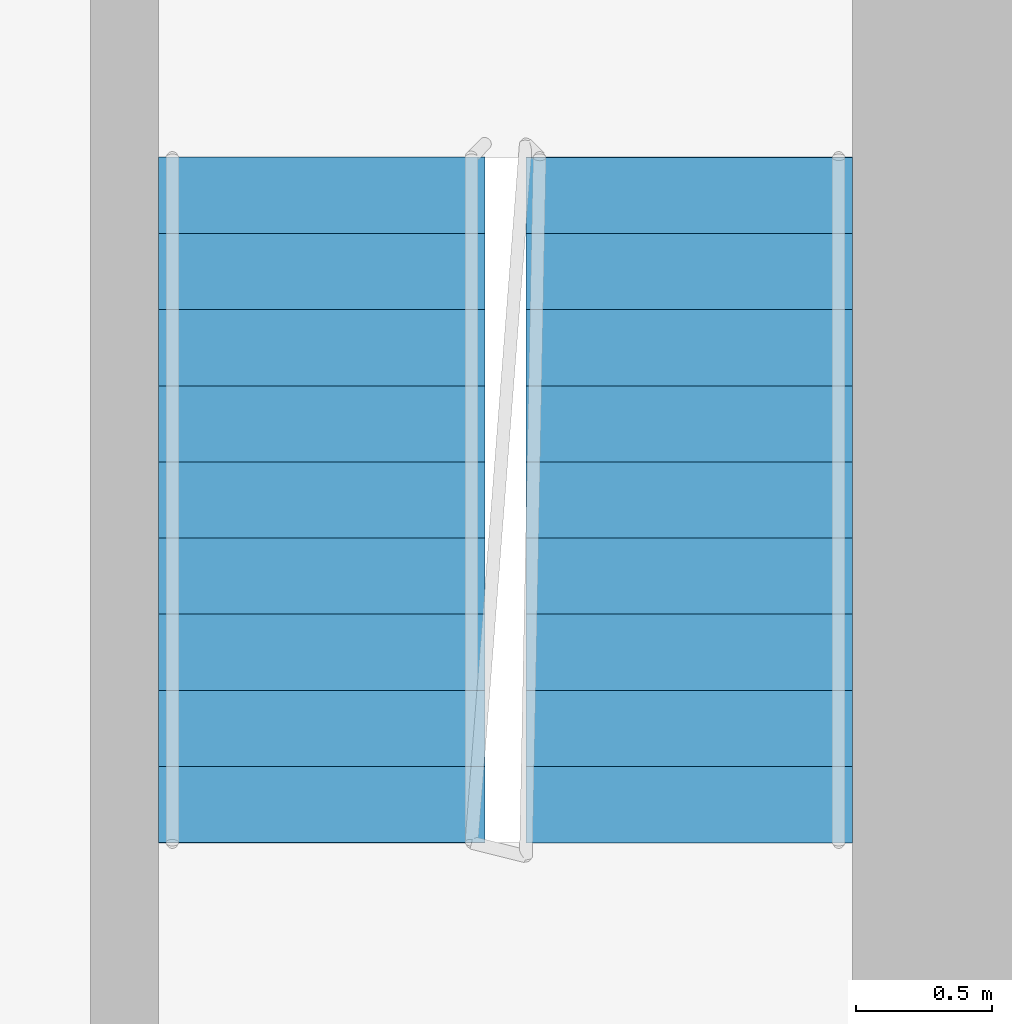
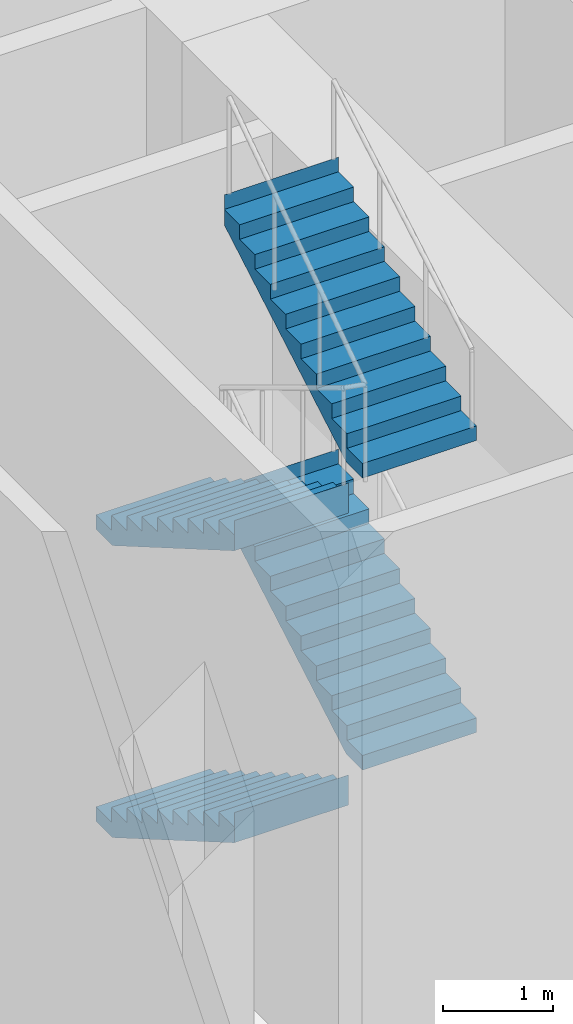
# One storey, part 14 of 24: 4 stair flights, 1 element without a shape of its own.
"""IFC4 building model written with IfcOpenShell, lengths in metres."""

from ifc_helpers import new_model, si_unit, direction, frame, origin, place, context, subcontext, project, spatial, faceted_brep, material, type_object, element, aggregate, save


model = new_model("IFC4")

# Units and contexts
model_context = context("Model", 3, precision=1e-05, world=origin(), true_north=direction((0.0, 1.0)))
body_context = subcontext(model_context, "Body", "Model", "MODEL_VIEW")
ifc_project = project(units=[si_unit("LENGTHUNIT", "METRE"), si_unit("AREAUNIT", "SQUARE_METRE"), si_unit("VOLUMEUNIT", "CUBIC_METRE"), si_unit("PLANEANGLEUNIT", "RADIAN"), si_unit("MASSUNIT", "GRAM", prefix="KILO")], contexts=[model_context])

# Site, building, storey
site_placement = place(None, origin())
site = spatial("IfcSite", under=ifc_project, at=site_placement, CompositionType="ELEMENT")
building_placement = place(site_placement, origin())
building = spatial("IfcBuilding", under=site, at=building_placement, Name="Kajstack Hotel Tower", CompositionType="ELEMENT")
storey_placement = place(building_placement, frame((0.0, 0.0, 17.0)))
storey = spatial("IfcBuildingStorey", under=building, at=storey_placement, Name="L02", CompositionType="ELEMENT", Elevation=17.0)

# Stair, stair flights
ifc_material = material(Name="Concrete C40/50", Category="concrete")
stair_type = type_object("IfcStairType", Name="Exit stair 1200", PredefinedType="HALF_TURN_STAIR", material=ifc_material)
stair_placement = place(storey_placement, origin())
stair = element("IfcStair", 1, at=stair_placement, inside=storey, type_object=stair_type, Name="L02 stair W1", PredefinedType="HALF_TURN_STAIR")
stair_flight_type = type_object("IfcStairFlightType", Name="Exit stair flight 1200", PredefinedType="STRAIGHT", material=ifc_material)
stair_flight_1_placement = place(storey_placement, frame((-33.449951171875, -5.25, 0.0), z_axis=(0.0, 0.0, 1.0), x_axis=(0.0, -1.0, 0.0)))
stair_flight_1 = element("IfcStairFlight", 2, at=stair_flight_1_placement, type_object=stair_flight_type, Name="W1 flight 1", NumberOfRisers=10, NumberOfTreads=9, PredefinedType="STRAIGHT", RiserHeight=0.1625, TreadLength=0.28, context=body_context, shape_type="Brep", body=[
    faceted_brep([(0.299072265625, -0.60009765625, 0.0), (2.5205078125, -0.60009765625, 1.2890625), (2.5205078125, -0.60009765625, 1.625), (2.52001953125, -0.60009765625, 1.625), (2.52001953125, -0.60009765625, 1.46240234375), (2.239990234375, -0.60009765625, 1.46240234375), (2.239990234375, -0.60009765625, 1.300048828125), (1.9599609375, -0.60009765625, 1.300048828125), (1.9599609375, -0.60009765625, 1.137451171875), (1.679931640625, -0.60009765625, 1.137451171875), (1.679931640625, -0.60009765625, 0.97509765625), (1.39990234375, -0.60009765625, 0.97509765625), (1.39990234375, -0.60009765625, 0.8125), (1.1201171875, -0.60009765625, 0.8125), (1.1201171875, -0.60009765625, 0.64990234375), (0.840087890625, -0.60009765625, 0.64990234375), (0.840087890625, -0.60009765625, 0.487548828125), (0.56005859375, -0.60009765625, 0.487548828125), (0.56005859375, -0.60009765625, 0.324951171875), (0.280029296875, -0.60009765625, 0.324951171875), (0.280029296875, -0.60009765625, 0.16259765625), (-0.00048828125, -0.60009765625, 0.16259765625), (-0.00048828125, -0.60009765625, 0.0), (-0.00048828125, 0.60009765625, 0.0), (-0.00048828125, 0.60009765625, 0.16259765625), (0.280029296875, 0.60009765625, 0.16259765625), (0.280029296875, 0.60009765625, 0.324951171875), (0.56005859375, 0.60009765625, 0.324951171875), (0.56005859375, 0.60009765625, 0.487548828125), (0.840087890625, 0.60009765625, 0.487548828125), (0.840087890625, 0.60009765625, 0.64990234375), (1.1201171875, 0.60009765625, 0.64990234375), (1.1201171875, 0.60009765625, 0.8125), (1.39990234375, 0.60009765625, 0.8125), (1.39990234375, 0.60009765625, 0.97509765625), (1.679931640625, 0.60009765625, 0.97509765625), (1.679931640625, 0.60009765625, 1.137451171875), (1.9599609375, 0.60009765625, 1.137451171875), (1.9599609375, 0.60009765625, 1.300048828125), (2.239990234375, 0.60009765625, 1.300048828125), (2.239990234375, 0.60009765625, 1.46240234375), (2.52001953125, 0.60009765625, 1.46240234375), (2.52001953125, 0.60009765625, 1.625), (2.5205078125, 0.60009765625, 1.625), (2.5205078125, 0.60009765625, 1.2890625), (0.299072265625, 0.60009765625, 0.0), (-0.00048828125, -0.300048828125, 0.16259765625), (-0.00048828125, 0.0, 0.16259765625), (-0.00048828125, 0.300048828125, 0.16259765625), (-0.00048828125, 0.300048828125, 0.0), (-0.00048828125, 0.0, 0.0), (-0.00048828125, -0.300048828125, 0.0), (0.280029296875, -0.300048828125, 0.16259765625), (0.280029296875, 0.0, 0.16259765625), (0.280029296875, 0.300048828125, 0.16259765625), (0.280029296875, -0.300048828125, 0.324951171875), (0.280029296875, 0.0, 0.324951171875), (0.280029296875, 0.300048828125, 0.324951171875), (0.56005859375, -0.300048828125, 0.324951171875), (0.56005859375, 0.0, 0.324951171875), (0.56005859375, 0.300048828125, 0.324951171875), (0.56005859375, -0.300048828125, 0.487548828125), (0.56005859375, 0.0, 0.487548828125), (0.56005859375, 0.300048828125, 0.487548828125), (0.840087890625, -0.300048828125, 0.487548828125), (0.840087890625, 0.0, 0.487548828125), (0.840087890625, 0.300048828125, 0.487548828125), (0.840087890625, -0.300048828125, 0.64990234375), (0.840087890625, 0.0, 0.64990234375), (0.840087890625, 0.300048828125, 0.64990234375), (1.1201171875, -0.300048828125, 0.64990234375), (1.1201171875, 0.0, 0.64990234375), (1.1201171875, 0.300048828125, 0.64990234375), (1.1201171875, -0.300048828125, 0.8125), (1.1201171875, 0.0, 0.8125), (1.1201171875, 0.300048828125, 0.8125), (1.39990234375, -0.300048828125, 0.8125), (1.39990234375, 0.0, 0.8125), (1.39990234375, 0.300048828125, 0.8125), (1.39990234375, -0.300048828125, 0.97509765625), (1.39990234375, 0.0, 0.97509765625), (1.39990234375, 0.300048828125, 0.97509765625), (1.679931640625, -0.300048828125, 0.97509765625), (1.679931640625, 0.0, 0.97509765625), (1.679931640625, 0.300048828125, 0.97509765625), (1.679931640625, -0.300048828125, 1.137451171875), (1.679931640625, 0.0, 1.137451171875), (1.679931640625, 0.300048828125, 1.137451171875), (1.9599609375, -0.300048828125, 1.137451171875), (1.9599609375, 0.0, 1.137451171875), (1.9599609375, 0.300048828125, 1.137451171875), (1.9599609375, -0.300048828125, 1.300048828125), (1.9599609375, 0.0, 1.300048828125), (1.9599609375, 0.300048828125, 1.300048828125), (2.239990234375, -0.300048828125, 1.300048828125), (2.239990234375, 0.0, 1.300048828125), (2.239990234375, 0.300048828125, 1.300048828125), (2.239990234375, -0.300048828125, 1.46240234375), (2.239990234375, 0.0, 1.46240234375), (2.239990234375, 0.300048828125, 1.46240234375), (2.52001953125, -0.300048828125, 1.46240234375), (2.52001953125, 0.0, 1.46240234375), (2.52001953125, 0.300048828125, 1.46240234375), (2.52001953125, -0.300048828125, 1.625), (2.52001953125, 0.0, 1.625), (2.52001953125, 0.300048828125, 1.625), (2.5205078125, -0.300048828125, 1.625), (2.5205078125, 0.0, 1.625), (2.5205078125, 0.300048828125, 1.625), (2.5205078125, -0.300048828125, 1.2890625), (2.5205078125, 0.0, 1.2890625), (2.5205078125, 0.300048828125, 1.2890625), (0.299072265625, -0.300048828125, 0.0), (0.299072265625, 0.0, 0.0), (0.299072265625, 0.300048828125, 0.0)], [[[0, 1, 2, 3, 4, 5, 6, 7, 8, 9, 10, 11, 12, 13, 14, 15, 16, 17, 18, 19, 20, 21, 22]], [[23, 24, 25, 26, 27, 28, 29, 30, 31, 32, 33, 34, 35, 36, 37, 38, 39, 40, 41, 42, 43, 44, 45]], [[21, 46, 47, 48, 24, 23, 49, 50, 51, 22]], [[20, 52, 53, 54, 25, 24, 48, 47, 46, 21]], [[19, 55, 56, 57, 26, 25, 54, 53, 52, 20]], [[18, 58, 59, 60, 27, 26, 57, 56, 55, 19]], [[17, 61, 62, 63, 28, 27, 60, 59, 58, 18]], [[16, 64, 65, 66, 29, 28, 63, 62, 61, 17]], [[15, 67, 68, 69, 30, 29, 66, 65, 64, 16]], [[14, 70, 71, 72, 31, 30, 69, 68, 67, 15]], [[13, 73, 74, 75, 32, 31, 72, 71, 70, 14]], [[12, 76, 77, 78, 33, 32, 75, 74, 73, 13]], [[11, 79, 80, 81, 34, 33, 78, 77, 76, 12]], [[10, 82, 83, 84, 35, 34, 81, 80, 79, 11]], [[9, 85, 86, 87, 36, 35, 84, 83, 82, 10]], [[8, 88, 89, 90, 37, 36, 87, 86, 85, 9]], [[7, 91, 92, 93, 38, 37, 90, 89, 88, 8]], [[6, 94, 95, 96, 39, 38, 93, 92, 91, 7]], [[5, 97, 98, 99, 40, 39, 96, 95, 94, 6]], [[4, 100, 101, 102, 41, 40, 99, 98, 97, 5]], [[3, 103, 104, 105, 42, 41, 102, 101, 100, 4]], [[2, 106, 107, 108, 43, 42, 105, 104, 103, 3]], [[1, 109, 110, 111, 44, 43, 108, 107, 106, 2]], [[0, 112, 113, 114, 45, 44, 111, 110, 109, 1]], [[22, 51, 50, 49, 23, 45, 114, 113, 112, 0]]]),
])
stair_flight_2_placement = place(storey_placement, frame((-32.10009765625, -7.77001953125, 1.625), z_axis=(0.0, 0.0, 1.0), x_axis=(0.0, 1.0, 0.0)))
stair_flight_2 = element("IfcStairFlight", 3, at=stair_flight_2_placement, type_object=stair_flight_type, Name="W1 flight 2", NumberOfRisers=10, NumberOfTreads=9, PredefinedType="STRAIGHT", RiserHeight=0.1625, TreadLength=0.28, context=body_context, shape_type="Brep", body=[
    faceted_brep([(0.299072265625, -0.60009765625, 0.0), (2.5205078125, -0.60009765625, 1.2890625), (2.5205078125, -0.60009765625, 1.625), (2.52001953125, -0.60009765625, 1.625), (2.52001953125, -0.60009765625, 1.46240234375), (2.239990234375, -0.60009765625, 1.46240234375), (2.239990234375, -0.60009765625, 1.300048828125), (1.9599609375, -0.60009765625, 1.300048828125), (1.9599609375, -0.60009765625, 1.137451171875), (1.679931640625, -0.60009765625, 1.137451171875), (1.679931640625, -0.60009765625, 0.97509765625), (1.39990234375, -0.60009765625, 0.97509765625), (1.39990234375, -0.60009765625, 0.8125), (1.1201171875, -0.60009765625, 0.8125), (1.1201171875, -0.60009765625, 0.64990234375), (0.840087890625, -0.60009765625, 0.64990234375), (0.840087890625, -0.60009765625, 0.487548828125), (0.56005859375, -0.60009765625, 0.487548828125), (0.56005859375, -0.60009765625, 0.324951171875), (0.280029296875, -0.60009765625, 0.324951171875), (0.280029296875, -0.60009765625, 0.16259765625), (-0.00048828125, -0.60009765625, 0.16259765625), (-0.00048828125, -0.60009765625, 0.0), (-0.00048828125, 0.60009765625, 0.0), (-0.00048828125, 0.60009765625, 0.16259765625), (0.280029296875, 0.60009765625, 0.16259765625), (0.280029296875, 0.60009765625, 0.324951171875), (0.56005859375, 0.60009765625, 0.324951171875), (0.56005859375, 0.60009765625, 0.487548828125), (0.840087890625, 0.60009765625, 0.487548828125), (0.840087890625, 0.60009765625, 0.64990234375), (1.1201171875, 0.60009765625, 0.64990234375), (1.1201171875, 0.60009765625, 0.8125), (1.39990234375, 0.60009765625, 0.8125), (1.39990234375, 0.60009765625, 0.97509765625), (1.679931640625, 0.60009765625, 0.97509765625), (1.679931640625, 0.60009765625, 1.137451171875), (1.9599609375, 0.60009765625, 1.137451171875), (1.9599609375, 0.60009765625, 1.300048828125), (2.239990234375, 0.60009765625, 1.300048828125), (2.239990234375, 0.60009765625, 1.46240234375), (2.52001953125, 0.60009765625, 1.46240234375), (2.52001953125, 0.60009765625, 1.625), (2.5205078125, 0.60009765625, 1.625), (2.5205078125, 0.60009765625, 1.2890625), (0.299072265625, 0.60009765625, 0.0), (-0.00048828125, -0.300048828125, 0.16259765625), (-0.00048828125, 0.0, 0.16259765625), (-0.00048828125, 0.300048828125, 0.16259765625), (-0.00048828125, 0.300048828125, 0.0), (-0.00048828125, 0.0, 0.0), (-0.00048828125, -0.300048828125, 0.0), (0.280029296875, -0.300048828125, 0.16259765625), (0.280029296875, 0.0, 0.16259765625), (0.280029296875, 0.300048828125, 0.16259765625), (0.280029296875, -0.300048828125, 0.324951171875), (0.280029296875, 0.0, 0.324951171875), (0.280029296875, 0.300048828125, 0.324951171875), (0.56005859375, -0.300048828125, 0.324951171875), (0.56005859375, 0.0, 0.324951171875), (0.56005859375, 0.300048828125, 0.324951171875), (0.56005859375, -0.300048828125, 0.487548828125), (0.56005859375, 0.0, 0.487548828125), (0.56005859375, 0.300048828125, 0.487548828125), (0.840087890625, -0.300048828125, 0.487548828125), (0.840087890625, 0.0, 0.487548828125), (0.840087890625, 0.300048828125, 0.487548828125), (0.840087890625, -0.300048828125, 0.64990234375), (0.840087890625, 0.0, 0.64990234375), (0.840087890625, 0.300048828125, 0.64990234375), (1.1201171875, -0.300048828125, 0.64990234375), (1.1201171875, 0.0, 0.64990234375), (1.1201171875, 0.300048828125, 0.64990234375), (1.1201171875, -0.300048828125, 0.8125), (1.1201171875, 0.0, 0.8125), (1.1201171875, 0.300048828125, 0.8125), (1.39990234375, -0.300048828125, 0.8125), (1.39990234375, 0.0, 0.8125), (1.39990234375, 0.300048828125, 0.8125), (1.39990234375, -0.300048828125, 0.97509765625), (1.39990234375, 0.0, 0.97509765625), (1.39990234375, 0.300048828125, 0.97509765625), (1.679931640625, -0.300048828125, 0.97509765625), (1.679931640625, 0.0, 0.97509765625), (1.679931640625, 0.300048828125, 0.97509765625), (1.679931640625, -0.300048828125, 1.137451171875), (1.679931640625, 0.0, 1.137451171875), (1.679931640625, 0.300048828125, 1.137451171875), (1.9599609375, -0.300048828125, 1.137451171875), (1.9599609375, 0.0, 1.137451171875), (1.9599609375, 0.300048828125, 1.137451171875), (1.9599609375, -0.300048828125, 1.300048828125), (1.9599609375, 0.0, 1.300048828125), (1.9599609375, 0.300048828125, 1.300048828125), (2.239990234375, -0.300048828125, 1.300048828125), (2.239990234375, 0.0, 1.300048828125), (2.239990234375, 0.300048828125, 1.300048828125), (2.239990234375, -0.300048828125, 1.46240234375), (2.239990234375, 0.0, 1.46240234375), (2.239990234375, 0.300048828125, 1.46240234375), (2.52001953125, -0.300048828125, 1.46240234375), (2.52001953125, 0.0, 1.46240234375), (2.52001953125, 0.300048828125, 1.46240234375), (2.52001953125, -0.300048828125, 1.625), (2.52001953125, 0.0, 1.625), (2.52001953125, 0.300048828125, 1.625), (2.5205078125, -0.300048828125, 1.625), (2.5205078125, 0.0, 1.625), (2.5205078125, 0.300048828125, 1.625), (2.5205078125, -0.300048828125, 1.2890625), (2.5205078125, 0.0, 1.2890625), (2.5205078125, 0.300048828125, 1.2890625), (0.299072265625, -0.300048828125, 0.0), (0.299072265625, 0.0, 0.0), (0.299072265625, 0.300048828125, 0.0)], [[[0, 1, 2, 3, 4, 5, 6, 7, 8, 9, 10, 11, 12, 13, 14, 15, 16, 17, 18, 19, 20, 21, 22]], [[23, 24, 25, 26, 27, 28, 29, 30, 31, 32, 33, 34, 35, 36, 37, 38, 39, 40, 41, 42, 43, 44, 45]], [[21, 46, 47, 48, 24, 23, 49, 50, 51, 22]], [[20, 52, 53, 54, 25, 24, 48, 47, 46, 21]], [[19, 55, 56, 57, 26, 25, 54, 53, 52, 20]], [[18, 58, 59, 60, 27, 26, 57, 56, 55, 19]], [[17, 61, 62, 63, 28, 27, 60, 59, 58, 18]], [[16, 64, 65, 66, 29, 28, 63, 62, 61, 17]], [[15, 67, 68, 69, 30, 29, 66, 65, 64, 16]], [[14, 70, 71, 72, 31, 30, 69, 68, 67, 15]], [[13, 73, 74, 75, 32, 31, 72, 71, 70, 14]], [[12, 76, 77, 78, 33, 32, 75, 74, 73, 13]], [[11, 79, 80, 81, 34, 33, 78, 77, 76, 12]], [[10, 82, 83, 84, 35, 34, 81, 80, 79, 11]], [[9, 85, 86, 87, 36, 35, 84, 83, 82, 10]], [[8, 88, 89, 90, 37, 36, 87, 86, 85, 9]], [[7, 91, 92, 93, 38, 37, 90, 89, 88, 8]], [[6, 94, 95, 96, 39, 38, 93, 92, 91, 7]], [[5, 97, 98, 99, 40, 39, 96, 95, 94, 6]], [[4, 100, 101, 102, 41, 40, 99, 98, 97, 5]], [[3, 103, 104, 105, 42, 41, 102, 101, 100, 4]], [[2, 106, 107, 108, 43, 42, 105, 104, 103, 3]], [[1, 109, 110, 111, 44, 43, 108, 107, 106, 2]], [[0, 112, 113, 114, 45, 44, 111, 110, 109, 1]], [[22, 51, 50, 49, 23, 45, 114, 113, 112, 0]]]),
])
stair_flight_3_placement = place(storey_placement, frame((-33.449951171875, -5.25, 3.25), z_axis=(0.0, 0.0, 1.0), x_axis=(0.0, -1.0, 0.0)))
stair_flight_3 = element("IfcStairFlight", 4, at=stair_flight_3_placement, type_object=stair_flight_type, Name="W1 flight 3", NumberOfRisers=10, NumberOfTreads=9, PredefinedType="STRAIGHT", RiserHeight=0.1625, TreadLength=0.28, context=body_context, shape_type="Brep", body=[
    faceted_brep([(0.299072265625, -0.60009765625, 0.0), (2.5205078125, -0.60009765625, 1.2890625), (2.5205078125, -0.60009765625, 1.625), (2.52001953125, -0.60009765625, 1.625), (2.52001953125, -0.60009765625, 1.46240234375), (2.239990234375, -0.60009765625, 1.46240234375), (2.239990234375, -0.60009765625, 1.300048828125), (1.9599609375, -0.60009765625, 1.300048828125), (1.9599609375, -0.60009765625, 1.137451171875), (1.679931640625, -0.60009765625, 1.137451171875), (1.679931640625, -0.60009765625, 0.97509765625), (1.39990234375, -0.60009765625, 0.97509765625), (1.39990234375, -0.60009765625, 0.8125), (1.1201171875, -0.60009765625, 0.8125), (1.1201171875, -0.60009765625, 0.64990234375), (0.840087890625, -0.60009765625, 0.64990234375), (0.840087890625, -0.60009765625, 0.487548828125), (0.56005859375, -0.60009765625, 0.487548828125), (0.56005859375, -0.60009765625, 0.324951171875), (0.280029296875, -0.60009765625, 0.324951171875), (0.280029296875, -0.60009765625, 0.16259765625), (-0.00048828125, -0.60009765625, 0.16259765625), (-0.00048828125, -0.60009765625, 0.0), (-0.00048828125, 0.60009765625, 0.0), (-0.00048828125, 0.60009765625, 0.16259765625), (0.280029296875, 0.60009765625, 0.16259765625), (0.280029296875, 0.60009765625, 0.324951171875), (0.56005859375, 0.60009765625, 0.324951171875), (0.56005859375, 0.60009765625, 0.487548828125), (0.840087890625, 0.60009765625, 0.487548828125), (0.840087890625, 0.60009765625, 0.64990234375), (1.1201171875, 0.60009765625, 0.64990234375), (1.1201171875, 0.60009765625, 0.8125), (1.39990234375, 0.60009765625, 0.8125), (1.39990234375, 0.60009765625, 0.97509765625), (1.679931640625, 0.60009765625, 0.97509765625), (1.679931640625, 0.60009765625, 1.137451171875), (1.9599609375, 0.60009765625, 1.137451171875), (1.9599609375, 0.60009765625, 1.300048828125), (2.239990234375, 0.60009765625, 1.300048828125), (2.239990234375, 0.60009765625, 1.46240234375), (2.52001953125, 0.60009765625, 1.46240234375), (2.52001953125, 0.60009765625, 1.625), (2.5205078125, 0.60009765625, 1.625), (2.5205078125, 0.60009765625, 1.2890625), (0.299072265625, 0.60009765625, 0.0), (-0.00048828125, -0.300048828125, 0.16259765625), (-0.00048828125, 0.0, 0.16259765625), (-0.00048828125, 0.300048828125, 0.16259765625), (-0.00048828125, 0.300048828125, 0.0), (-0.00048828125, 0.0, 0.0), (-0.00048828125, -0.300048828125, 0.0), (0.280029296875, -0.300048828125, 0.16259765625), (0.280029296875, 0.0, 0.16259765625), (0.280029296875, 0.300048828125, 0.16259765625), (0.280029296875, -0.300048828125, 0.324951171875), (0.280029296875, 0.0, 0.324951171875), (0.280029296875, 0.300048828125, 0.324951171875), (0.56005859375, -0.300048828125, 0.324951171875), (0.56005859375, 0.0, 0.324951171875), (0.56005859375, 0.300048828125, 0.324951171875), (0.56005859375, -0.300048828125, 0.487548828125), (0.56005859375, 0.0, 0.487548828125), (0.56005859375, 0.300048828125, 0.487548828125), (0.840087890625, -0.300048828125, 0.487548828125), (0.840087890625, 0.0, 0.487548828125), (0.840087890625, 0.300048828125, 0.487548828125), (0.840087890625, -0.300048828125, 0.64990234375), (0.840087890625, 0.0, 0.64990234375), (0.840087890625, 0.300048828125, 0.64990234375), (1.1201171875, -0.300048828125, 0.64990234375), (1.1201171875, 0.0, 0.64990234375), (1.1201171875, 0.300048828125, 0.64990234375), (1.1201171875, -0.300048828125, 0.8125), (1.1201171875, 0.0, 0.8125), (1.1201171875, 0.300048828125, 0.8125), (1.39990234375, -0.300048828125, 0.8125), (1.39990234375, 0.0, 0.8125), (1.39990234375, 0.300048828125, 0.8125), (1.39990234375, -0.300048828125, 0.97509765625), (1.39990234375, 0.0, 0.97509765625), (1.39990234375, 0.300048828125, 0.97509765625), (1.679931640625, -0.300048828125, 0.97509765625), (1.679931640625, 0.0, 0.97509765625), (1.679931640625, 0.300048828125, 0.97509765625), (1.679931640625, -0.300048828125, 1.137451171875), (1.679931640625, 0.0, 1.137451171875), (1.679931640625, 0.300048828125, 1.137451171875), (1.9599609375, -0.300048828125, 1.137451171875), (1.9599609375, 0.0, 1.137451171875), (1.9599609375, 0.300048828125, 1.137451171875), (1.9599609375, -0.300048828125, 1.300048828125), (1.9599609375, 0.0, 1.300048828125), (1.9599609375, 0.300048828125, 1.300048828125), (2.239990234375, -0.300048828125, 1.300048828125), (2.239990234375, 0.0, 1.300048828125), (2.239990234375, 0.300048828125, 1.300048828125), (2.239990234375, -0.300048828125, 1.46240234375), (2.239990234375, 0.0, 1.46240234375), (2.239990234375, 0.300048828125, 1.46240234375), (2.52001953125, -0.300048828125, 1.46240234375), (2.52001953125, 0.0, 1.46240234375), (2.52001953125, 0.300048828125, 1.46240234375), (2.52001953125, -0.300048828125, 1.625), (2.52001953125, 0.0, 1.625), (2.52001953125, 0.300048828125, 1.625), (2.5205078125, -0.300048828125, 1.625), (2.5205078125, 0.0, 1.625), (2.5205078125, 0.300048828125, 1.625), (2.5205078125, -0.300048828125, 1.2890625), (2.5205078125, 0.0, 1.2890625), (2.5205078125, 0.300048828125, 1.2890625), (0.299072265625, -0.300048828125, 0.0), (0.299072265625, 0.0, 0.0), (0.299072265625, 0.300048828125, 0.0)], [[[0, 1, 2, 3, 4, 5, 6, 7, 8, 9, 10, 11, 12, 13, 14, 15, 16, 17, 18, 19, 20, 21, 22]], [[23, 24, 25, 26, 27, 28, 29, 30, 31, 32, 33, 34, 35, 36, 37, 38, 39, 40, 41, 42, 43, 44, 45]], [[21, 46, 47, 48, 24, 23, 49, 50, 51, 22]], [[20, 52, 53, 54, 25, 24, 48, 47, 46, 21]], [[19, 55, 56, 57, 26, 25, 54, 53, 52, 20]], [[18, 58, 59, 60, 27, 26, 57, 56, 55, 19]], [[17, 61, 62, 63, 28, 27, 60, 59, 58, 18]], [[16, 64, 65, 66, 29, 28, 63, 62, 61, 17]], [[15, 67, 68, 69, 30, 29, 66, 65, 64, 16]], [[14, 70, 71, 72, 31, 30, 69, 68, 67, 15]], [[13, 73, 74, 75, 32, 31, 72, 71, 70, 14]], [[12, 76, 77, 78, 33, 32, 75, 74, 73, 13]], [[11, 79, 80, 81, 34, 33, 78, 77, 76, 12]], [[10, 82, 83, 84, 35, 34, 81, 80, 79, 11]], [[9, 85, 86, 87, 36, 35, 84, 83, 82, 10]], [[8, 88, 89, 90, 37, 36, 87, 86, 85, 9]], [[7, 91, 92, 93, 38, 37, 90, 89, 88, 8]], [[6, 94, 95, 96, 39, 38, 93, 92, 91, 7]], [[5, 97, 98, 99, 40, 39, 96, 95, 94, 6]], [[4, 100, 101, 102, 41, 40, 99, 98, 97, 5]], [[3, 103, 104, 105, 42, 41, 102, 101, 100, 4]], [[2, 106, 107, 108, 43, 42, 105, 104, 103, 3]], [[1, 109, 110, 111, 44, 43, 108, 107, 106, 2]], [[0, 112, 113, 114, 45, 44, 111, 110, 109, 1]], [[22, 51, 50, 49, 23, 45, 114, 113, 112, 0]]]),
])
stair_flight_4_placement = place(storey_placement, frame((-32.10009765625, -7.77001953125, 4.875), z_axis=(0.0, 0.0, 1.0), x_axis=(0.0, 1.0, 0.0)))
stair_flight_4 = element("IfcStairFlight", 5, at=stair_flight_4_placement, type_object=stair_flight_type, Name="W1 flight 4", NumberOfRisers=10, NumberOfTreads=9, PredefinedType="STRAIGHT", RiserHeight=0.1625, TreadLength=0.28, context=body_context, shape_type="Brep", body=[
    faceted_brep([(0.299072265625, -0.60009765625, 0.0), (2.5205078125, -0.60009765625, 1.2890625), (2.5205078125, -0.60009765625, 1.625), (2.52001953125, -0.60009765625, 1.625), (2.52001953125, -0.60009765625, 1.46240234375), (2.239990234375, -0.60009765625, 1.46240234375), (2.239990234375, -0.60009765625, 1.300048828125), (1.9599609375, -0.60009765625, 1.300048828125), (1.9599609375, -0.60009765625, 1.137451171875), (1.679931640625, -0.60009765625, 1.137451171875), (1.679931640625, -0.60009765625, 0.97509765625), (1.39990234375, -0.60009765625, 0.97509765625), (1.39990234375, -0.60009765625, 0.8125), (1.1201171875, -0.60009765625, 0.8125), (1.1201171875, -0.60009765625, 0.64990234375), (0.840087890625, -0.60009765625, 0.64990234375), (0.840087890625, -0.60009765625, 0.487548828125), (0.56005859375, -0.60009765625, 0.487548828125), (0.56005859375, -0.60009765625, 0.324951171875), (0.280029296875, -0.60009765625, 0.324951171875), (0.280029296875, -0.60009765625, 0.16259765625), (-0.00048828125, -0.60009765625, 0.16259765625), (-0.00048828125, -0.60009765625, 0.0), (-0.00048828125, 0.60009765625, 0.0), (-0.00048828125, 0.60009765625, 0.16259765625), (0.280029296875, 0.60009765625, 0.16259765625), (0.280029296875, 0.60009765625, 0.324951171875), (0.56005859375, 0.60009765625, 0.324951171875), (0.56005859375, 0.60009765625, 0.487548828125), (0.840087890625, 0.60009765625, 0.487548828125), (0.840087890625, 0.60009765625, 0.64990234375), (1.1201171875, 0.60009765625, 0.64990234375), (1.1201171875, 0.60009765625, 0.8125), (1.39990234375, 0.60009765625, 0.8125), (1.39990234375, 0.60009765625, 0.97509765625), (1.679931640625, 0.60009765625, 0.97509765625), (1.679931640625, 0.60009765625, 1.137451171875), (1.9599609375, 0.60009765625, 1.137451171875), (1.9599609375, 0.60009765625, 1.300048828125), (2.239990234375, 0.60009765625, 1.300048828125), (2.239990234375, 0.60009765625, 1.46240234375), (2.52001953125, 0.60009765625, 1.46240234375), (2.52001953125, 0.60009765625, 1.625), (2.5205078125, 0.60009765625, 1.625), (2.5205078125, 0.60009765625, 1.2890625), (0.299072265625, 0.60009765625, 0.0), (-0.00048828125, -0.300048828125, 0.16259765625), (-0.00048828125, 0.0, 0.16259765625), (-0.00048828125, 0.300048828125, 0.16259765625), (-0.00048828125, 0.300048828125, 0.0), (-0.00048828125, 0.0, 0.0), (-0.00048828125, -0.300048828125, 0.0), (0.280029296875, -0.300048828125, 0.16259765625), (0.280029296875, 0.0, 0.16259765625), (0.280029296875, 0.300048828125, 0.16259765625), (0.280029296875, -0.300048828125, 0.324951171875), (0.280029296875, 0.0, 0.324951171875), (0.280029296875, 0.300048828125, 0.324951171875), (0.56005859375, -0.300048828125, 0.324951171875), (0.56005859375, 0.0, 0.324951171875), (0.56005859375, 0.300048828125, 0.324951171875), (0.56005859375, -0.300048828125, 0.487548828125), (0.56005859375, 0.0, 0.487548828125), (0.56005859375, 0.300048828125, 0.487548828125), (0.840087890625, -0.300048828125, 0.487548828125), (0.840087890625, 0.0, 0.487548828125), (0.840087890625, 0.300048828125, 0.487548828125), (0.840087890625, -0.300048828125, 0.64990234375), (0.840087890625, 0.0, 0.64990234375), (0.840087890625, 0.300048828125, 0.64990234375), (1.1201171875, -0.300048828125, 0.64990234375), (1.1201171875, 0.0, 0.64990234375), (1.1201171875, 0.300048828125, 0.64990234375), (1.1201171875, -0.300048828125, 0.8125), (1.1201171875, 0.0, 0.8125), (1.1201171875, 0.300048828125, 0.8125), (1.39990234375, -0.300048828125, 0.8125), (1.39990234375, 0.0, 0.8125), (1.39990234375, 0.300048828125, 0.8125), (1.39990234375, -0.300048828125, 0.97509765625), (1.39990234375, 0.0, 0.97509765625), (1.39990234375, 0.300048828125, 0.97509765625), (1.679931640625, -0.300048828125, 0.97509765625), (1.679931640625, 0.0, 0.97509765625), (1.679931640625, 0.300048828125, 0.97509765625), (1.679931640625, -0.300048828125, 1.137451171875), (1.679931640625, 0.0, 1.137451171875), (1.679931640625, 0.300048828125, 1.137451171875), (1.9599609375, -0.300048828125, 1.137451171875), (1.9599609375, 0.0, 1.137451171875), (1.9599609375, 0.300048828125, 1.137451171875), (1.9599609375, -0.300048828125, 1.300048828125), (1.9599609375, 0.0, 1.300048828125), (1.9599609375, 0.300048828125, 1.300048828125), (2.239990234375, -0.300048828125, 1.300048828125), (2.239990234375, 0.0, 1.300048828125), (2.239990234375, 0.300048828125, 1.300048828125), (2.239990234375, -0.300048828125, 1.46240234375), (2.239990234375, 0.0, 1.46240234375), (2.239990234375, 0.300048828125, 1.46240234375), (2.52001953125, -0.300048828125, 1.46240234375), (2.52001953125, 0.0, 1.46240234375), (2.52001953125, 0.300048828125, 1.46240234375), (2.52001953125, -0.300048828125, 1.625), (2.52001953125, 0.0, 1.625), (2.52001953125, 0.300048828125, 1.625), (2.5205078125, -0.300048828125, 1.625), (2.5205078125, 0.0, 1.625), (2.5205078125, 0.300048828125, 1.625), (2.5205078125, -0.300048828125, 1.2890625), (2.5205078125, 0.0, 1.2890625), (2.5205078125, 0.300048828125, 1.2890625), (0.299072265625, -0.300048828125, 0.0), (0.299072265625, 0.0, 0.0), (0.299072265625, 0.300048828125, 0.0)], [[[0, 1, 2, 3, 4, 5, 6, 7, 8, 9, 10, 11, 12, 13, 14, 15, 16, 17, 18, 19, 20, 21, 22]], [[23, 24, 25, 26, 27, 28, 29, 30, 31, 32, 33, 34, 35, 36, 37, 38, 39, 40, 41, 42, 43, 44, 45]], [[21, 46, 47, 48, 24, 23, 49, 50, 51, 22]], [[20, 52, 53, 54, 25, 24, 48, 47, 46, 21]], [[19, 55, 56, 57, 26, 25, 54, 53, 52, 20]], [[18, 58, 59, 60, 27, 26, 57, 56, 55, 19]], [[17, 61, 62, 63, 28, 27, 60, 59, 58, 18]], [[16, 64, 65, 66, 29, 28, 63, 62, 61, 17]], [[15, 67, 68, 69, 30, 29, 66, 65, 64, 16]], [[14, 70, 71, 72, 31, 30, 69, 68, 67, 15]], [[13, 73, 74, 75, 32, 31, 72, 71, 70, 14]], [[12, 76, 77, 78, 33, 32, 75, 74, 73, 13]], [[11, 79, 80, 81, 34, 33, 78, 77, 76, 12]], [[10, 82, 83, 84, 35, 34, 81, 80, 79, 11]], [[9, 85, 86, 87, 36, 35, 84, 83, 82, 10]], [[8, 88, 89, 90, 37, 36, 87, 86, 85, 9]], [[7, 91, 92, 93, 38, 37, 90, 89, 88, 8]], [[6, 94, 95, 96, 39, 38, 93, 92, 91, 7]], [[5, 97, 98, 99, 40, 39, 96, 95, 94, 6]], [[4, 100, 101, 102, 41, 40, 99, 98, 97, 5]], [[3, 103, 104, 105, 42, 41, 102, 101, 100, 4]], [[2, 106, 107, 108, 43, 42, 105, 104, 103, 3]], [[1, 109, 110, 111, 44, 43, 108, 107, 106, 2]], [[0, 112, 113, 114, 45, 44, 111, 110, 109, 1]], [[22, 51, 50, 49, 23, 45, 114, 113, 112, 0]]]),
])
aggregate(stair, [stair_flight_1, stair_flight_2, stair_flight_3, stair_flight_4])

save(model, "model.ifc")
